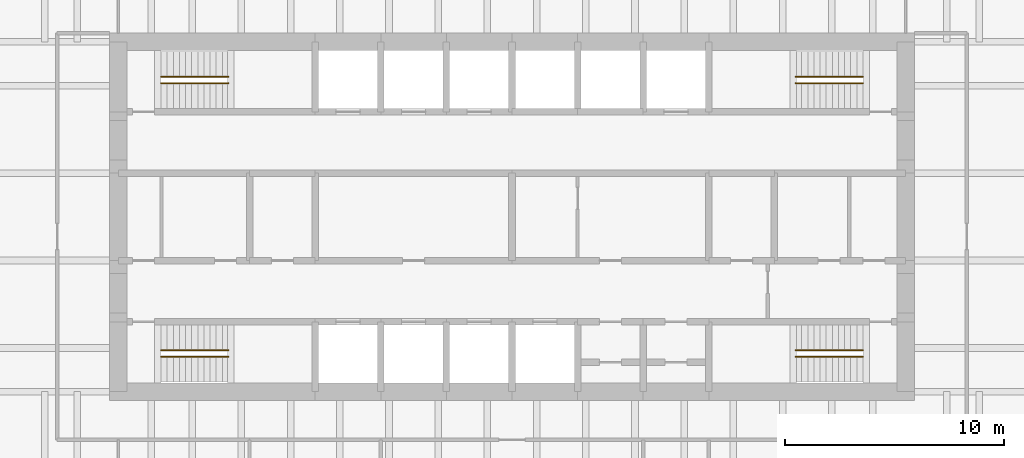
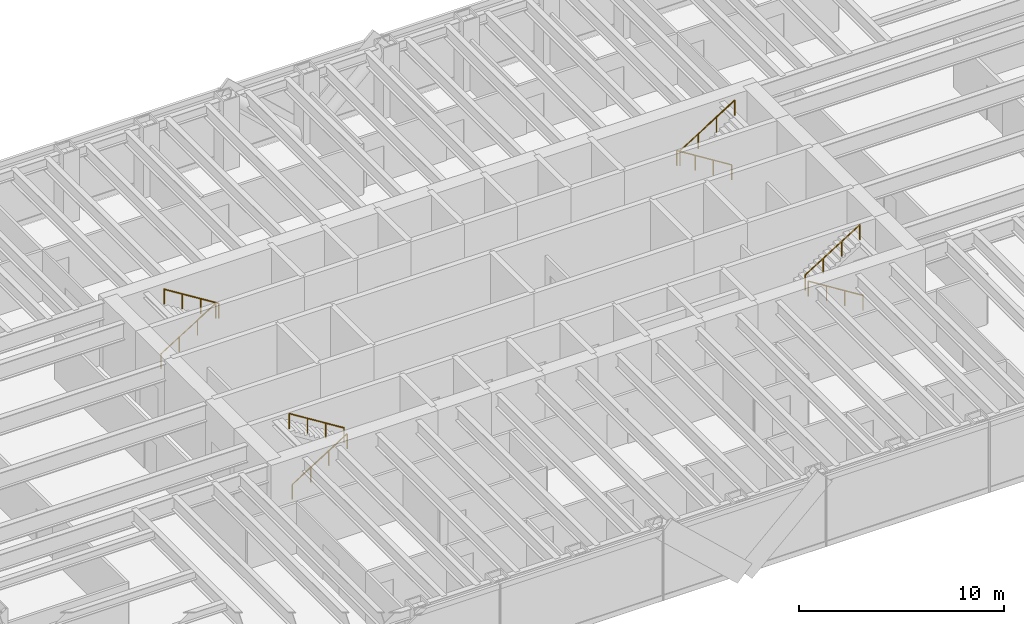
# One storey, part 15 of 15: 8 railings.
"""IFC4 building model written with IfcOpenShell, lengths in metres."""

from ifc_helpers import new_model, si_unit, direction, frame, origin, origin_2d, place, context, subcontext, project, spatial, circle, extrude, material, type_object, element, save


model = new_model("IFC4")

# Units and contexts
model_context = context("Model", 3, precision=1e-05, world=origin(), true_north=direction((0.0, 1.0)))
body_context = subcontext(model_context, "Body", "Model", "MODEL_VIEW")
ifc_project = project(units=[si_unit("LENGTHUNIT", "METRE"), si_unit("AREAUNIT", "SQUARE_METRE"), si_unit("VOLUMEUNIT", "CUBIC_METRE"), si_unit("PLANEANGLEUNIT", "RADIAN"), si_unit("MASSUNIT", "GRAM", prefix="KILO")], contexts=[model_context])

# Site, building, storey
site_placement = place(None, origin())
site = spatial("IfcSite", under=ifc_project, at=site_placement, CompositionType="ELEMENT")
building_placement = place(site_placement, origin())
building = spatial("IfcBuilding", under=site, at=building_placement, Name="Rheinbord Bourse Tower", CompositionType="ELEMENT")
storey_placement = place(building_placement, frame((0.0, 0.0, 215.199951171875)))
storey = spatial("IfcBuildingStorey", under=building, at=storey_placement, Name="L48", CompositionType="ELEMENT", Elevation=215.199951171875)

# Railings
ifc_material = material(Name="Steel handrail", Category="steel")
railing_type = type_object("IfcRailingType", Name="HANDRAIL 900", PredefinedType="HANDRAIL", material=ifc_material)
railing_1_placement = place(storey_placement, frame((19.949951171875, 17.60009765625, 0.175048828125)))
element("IfcRailing", 1, at=railing_1_placement, inside=storey, type_object=railing_type, Name="Handrail", PredefinedType="HANDRAIL", context=body_context, shape_type="SweptSolid", body=[
    extrude(circle(Radius=0.02392578125, at=origin_2d()), frame((0.0, 0.0, 0.8759765625), z_axis=(0.847998304005, 0.0, 0.529998940003), x_axis=(0.0, 1.0, 0.0)), (0.0, 0.0, 1.0), 3.632080078125),
    extrude(circle(Radius=0.02099609375, at=origin_2d()), origin(), (0.0, 0.0, 1.0), 0.851806640625),
    extrude(circle(Radius=0.02099609375, at=origin_2d()), frame((1.026611328125, 0.0, 0.6416015625)), (0.0, 0.0, 1.0), 0.851806640625),
    extrude(circle(Radius=0.02099609375, at=origin_2d()), frame((2.053466796875, 0.0, 1.283447265625)), (0.0, 0.0, 1.0), 0.851806640625),
    extrude(circle(Radius=0.02099609375, at=origin_2d()), frame((3.080078125, 0.0, 1.925048828125)), (0.0, 0.0, 1.0), 0.851806640625),
])
railing_2_placement = place(storey_placement, frame((23.030029296875, 17.89990234375, 2.275146484375)))
element("IfcRailing", 2, at=railing_2_placement, inside=storey, type_object=railing_type, Name="Handrail", PredefinedType="HANDRAIL", context=body_context, shape_type="SweptSolid", body=[
    extrude(circle(Radius=0.02392578125, at=origin_2d()), frame((0.0, 0.0, 0.8759765625), z_axis=(-0.848028513186, 0.0, 0.529950602248), x_axis=(0.0, -1.0, 0.0)), (0.0, 0.0, 1.0), 3.632080078125),
    extrude(circle(Radius=0.02099609375, at=origin_2d()), origin(), (0.0, 0.0, 1.0), 0.851806640625),
    extrude(circle(Radius=0.02099609375, at=origin_2d()), frame((-1.026611328125, 0.0, 0.6416015625)), (0.0, 0.0, 1.0), 0.851806640625),
    extrude(circle(Radius=0.02099609375, at=origin_2d()), frame((-2.053466796875, 0.0, 1.283203125)), (0.0, 0.0, 1.0), 0.851806640625),
    extrude(circle(Radius=0.02099609375, at=origin_2d()), frame((-3.080078125, 0.0, 1.9248046875)), (0.0, 0.0, 1.0), 0.851806640625),
])
railing_3_placement = place(storey_placement, frame((19.949951171875, 30.39990234375, 0.175048828125)))
element("IfcRailing", 3, at=railing_3_placement, inside=storey, type_object=railing_type, Name="Handrail", PredefinedType="HANDRAIL", context=body_context, shape_type="SweptSolid", body=[
    extrude(circle(Radius=0.02392578125, at=origin_2d()), frame((0.0, 0.0, 0.8759765625), z_axis=(0.847998304005, 0.0, 0.529998940003), x_axis=(0.0, 1.0, 0.0)), (0.0, 0.0, 1.0), 3.632080078125),
    extrude(circle(Radius=0.02099609375, at=origin_2d()), origin(), (0.0, 0.0, 1.0), 0.851806640625),
    extrude(circle(Radius=0.02099609375, at=origin_2d()), frame((1.026611328125, 0.0, 0.6416015625)), (0.0, 0.0, 1.0), 0.851806640625),
    extrude(circle(Radius=0.02099609375, at=origin_2d()), frame((2.053466796875, 0.0, 1.283447265625)), (0.0, 0.0, 1.0), 0.851806640625),
    extrude(circle(Radius=0.02099609375, at=origin_2d()), frame((3.080078125, 0.0, 1.925048828125)), (0.0, 0.0, 1.0), 0.851806640625),
])
railing_4_placement = place(storey_placement, frame((23.030029296875, 30.10009765625, 2.275146484375)))
element("IfcRailing", 4, at=railing_4_placement, inside=storey, type_object=railing_type, Name="Handrail", PredefinedType="HANDRAIL", context=body_context, shape_type="SweptSolid", body=[
    extrude(circle(Radius=0.02392578125, at=origin_2d()), frame((0.0, 0.0, 0.8759765625), z_axis=(-0.848028513186, 0.0, 0.529950602248), x_axis=(0.0, -1.0, 0.0)), (0.0, 0.0, 1.0), 3.632080078125),
    extrude(circle(Radius=0.02099609375, at=origin_2d()), origin(), (0.0, 0.0, 1.0), 0.851806640625),
    extrude(circle(Radius=0.02099609375, at=origin_2d()), frame((-1.026611328125, 0.0, 0.6416015625)), (0.0, 0.0, 1.0), 0.851806640625),
    extrude(circle(Radius=0.02099609375, at=origin_2d()), frame((-2.053466796875, 0.0, 1.283203125)), (0.0, 0.0, 1.0), 0.851806640625),
    extrude(circle(Radius=0.02099609375, at=origin_2d()), frame((-3.080078125, 0.0, 1.9248046875)), (0.0, 0.0, 1.0), 0.851806640625),
])
railing_5_placement = place(storey_placement, frame((52.050048828125, 17.60009765625, 0.175048828125)))
element("IfcRailing", 5, at=railing_5_placement, inside=storey, type_object=railing_type, Name="Handrail", PredefinedType="HANDRAIL", context=body_context, shape_type="SweptSolid", body=[
    extrude(circle(Radius=0.02392578125, at=origin_2d()), frame((0.0, 0.0, 0.8759765625), z_axis=(-0.847998304005, 0.0, 0.529998940003), x_axis=(0.0, -1.0, 0.0)), (0.0, 0.0, 1.0), 3.632080078125),
    extrude(circle(Radius=0.02099609375, at=origin_2d()), origin(), (0.0, 0.0, 1.0), 0.851806640625),
    extrude(circle(Radius=0.02099609375, at=origin_2d()), frame((-1.026611328125, 0.0, 0.6416015625)), (0.0, 0.0, 1.0), 0.851806640625),
    extrude(circle(Radius=0.02099609375, at=origin_2d()), frame((-2.053466796875, 0.0, 1.283447265625)), (0.0, 0.0, 1.0), 0.851806640625),
    extrude(circle(Radius=0.02099609375, at=origin_2d()), frame((-3.080078125, 0.0, 1.925048828125)), (0.0, 0.0, 1.0), 0.851806640625),
])
railing_6_placement = place(storey_placement, frame((48.969970703125, 17.89990234375, 2.275146484375)))
element("IfcRailing", 6, at=railing_6_placement, inside=storey, type_object=railing_type, Name="Handrail", PredefinedType="HANDRAIL", context=body_context, shape_type="SweptSolid", body=[
    extrude(circle(Radius=0.02392578125, at=origin_2d()), frame((0.0, 0.0, 0.8759765625), z_axis=(0.848028513186, 0.0, 0.529950602248), x_axis=(0.0, 1.0, 0.0)), (0.0, 0.0, 1.0), 3.632080078125),
    extrude(circle(Radius=0.02099609375, at=origin_2d()), origin(), (0.0, 0.0, 1.0), 0.851806640625),
    extrude(circle(Radius=0.02099609375, at=origin_2d()), frame((1.026611328125, 0.0, 0.6416015625)), (0.0, 0.0, 1.0), 0.851806640625),
    extrude(circle(Radius=0.02099609375, at=origin_2d()), frame((2.053466796875, 0.0, 1.283203125)), (0.0, 0.0, 1.0), 0.851806640625),
    extrude(circle(Radius=0.02099609375, at=origin_2d()), frame((3.080078125, 0.0, 1.9248046875)), (0.0, 0.0, 1.0), 0.851806640625),
])
railing_7_placement = place(storey_placement, frame((52.050048828125, 30.39990234375, 0.175048828125)))
element("IfcRailing", 7, at=railing_7_placement, inside=storey, type_object=railing_type, Name="Handrail", PredefinedType="HANDRAIL", context=body_context, shape_type="SweptSolid", body=[
    extrude(circle(Radius=0.02392578125, at=origin_2d()), frame((0.0, 0.0, 0.8759765625), z_axis=(-0.847998304005, 0.0, 0.529998940003), x_axis=(0.0, -1.0, 0.0)), (0.0, 0.0, 1.0), 3.632080078125),
    extrude(circle(Radius=0.02099609375, at=origin_2d()), origin(), (0.0, 0.0, 1.0), 0.851806640625),
    extrude(circle(Radius=0.02099609375, at=origin_2d()), frame((-1.026611328125, 0.0, 0.6416015625)), (0.0, 0.0, 1.0), 0.851806640625),
    extrude(circle(Radius=0.02099609375, at=origin_2d()), frame((-2.053466796875, 0.0, 1.283447265625)), (0.0, 0.0, 1.0), 0.851806640625),
    extrude(circle(Radius=0.02099609375, at=origin_2d()), frame((-3.080078125, 0.0, 1.925048828125)), (0.0, 0.0, 1.0), 0.851806640625),
])
railing_8_placement = place(storey_placement, frame((48.969970703125, 30.10009765625, 2.275146484375)))
element("IfcRailing", 8, at=railing_8_placement, inside=storey, type_object=railing_type, Name="Handrail", PredefinedType="HANDRAIL", context=body_context, shape_type="SweptSolid", body=[
    extrude(circle(Radius=0.02392578125, at=origin_2d()), frame((0.0, 0.0, 0.8759765625), z_axis=(0.848028513186, 0.0, 0.529950602248), x_axis=(0.0, 1.0, 0.0)), (0.0, 0.0, 1.0), 3.632080078125),
    extrude(circle(Radius=0.02099609375, at=origin_2d()), origin(), (0.0, 0.0, 1.0), 0.851806640625),
    extrude(circle(Radius=0.02099609375, at=origin_2d()), frame((1.026611328125, 0.0, 0.6416015625)), (0.0, 0.0, 1.0), 0.851806640625),
    extrude(circle(Radius=0.02099609375, at=origin_2d()), frame((2.053466796875, 0.0, 1.283203125)), (0.0, 0.0, 1.0), 0.851806640625),
    extrude(circle(Radius=0.02099609375, at=origin_2d()), frame((3.080078125, 0.0, 1.9248046875)), (0.0, 0.0, 1.0), 0.851806640625),
])

save(model, "model.ifc")
